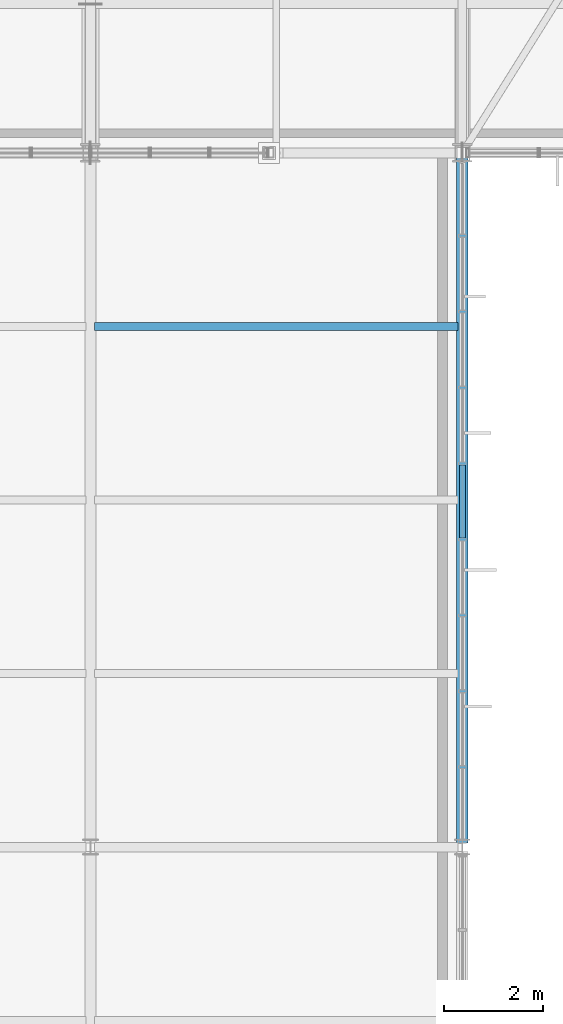
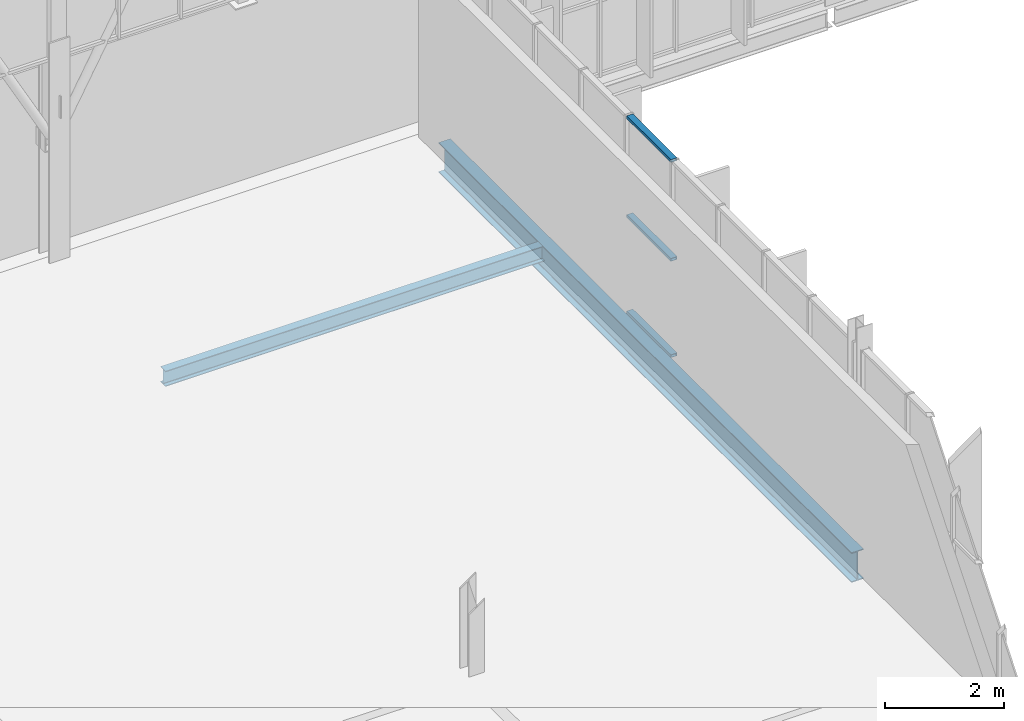
# One storey, part 55 of 324: 3 members, 2 beams, 1 element without a shape of its own.
"""IFC4 building model written with IfcOpenShell, lengths in metres."""

from ifc_helpers import new_model, si_unit, direction, frame, origin, origin_2d, place, context, subcontext, project, spatial, hollow_rectangle, i_section, extrude, material, layer, layer_set, material_profile, profile_set, type_object, element, aggregate, save


model = new_model("IFC4")

# Units and contexts
model_context = context("Model", 3, precision=1e-05, world=origin(), true_north=direction((0.0, 1.0)))
body_context = subcontext(model_context, "Body", "Model", "MODEL_VIEW")
ifc_project = project(units=[si_unit("LENGTHUNIT", "METRE"), si_unit("AREAUNIT", "SQUARE_METRE"), si_unit("VOLUMEUNIT", "CUBIC_METRE"), si_unit("PLANEANGLEUNIT", "RADIAN"), si_unit("MASSUNIT", "GRAM", prefix="KILO")], contexts=[model_context])

# Site, building, storey
site_placement = place(None, origin())
site = spatial("IfcSite", under=ifc_project, at=site_placement, CompositionType="ELEMENT")
building_placement = place(site_placement, origin())
building = spatial("IfcBuilding", under=site, at=building_placement, Name="Solvenia Promenade Tram Depot", CompositionType="ELEMENT")
storey_placement = place(building_placement, frame((0.0, 0.0, 4.5)))
storey = spatial("IfcBuildingStorey", under=building, at=storey_placement, Name="L01", CompositionType="ELEMENT", Elevation=4.5)

# Curtain wall, members
ifc_material_1 = material(Name="Anodized aluminium AW-6063 T6", Category="aluminium")
ifc_layer = layer(ifc_material_1, 0.1201171875, Name="Anodized aluminium AW-6063 T6", Category="aluminium")
ifc_layer_set = layer_set([ifc_layer], Name="Anodized aluminium AW-6063 T6")
curtain_wall_type = type_object("IfcCurtainWallType", Name="CW-Wash-1500", PredefinedType="NOTDEFINED", material=ifc_layer_set)
curtain_wall_placement = place(storey_placement, origin())
curtain_wall = element("IfcCurtainWall", 1, at=curtain_wall_placement, inside=storey, type_object=curtain_wall_type, Name="Curtain Wall CW-V3-E-L1-3", PredefinedType="NOTDEFINED")
ifc_material_profile_1 = material_profile(ifc_material_1, hollow_rectangle(XDim=0.1201171875, YDim=0.06005859375, WallThickness=0.00390625, at=origin_2d()), Name="ALU-T1", Category="aluminium")
ifc_profile_set_1 = profile_set([ifc_material_profile_1], Name="Anodized aluminium AW-6063 T6")
member_type = type_object("IfcMemberType", Name="CWT-Transom-1", PredefinedType="USERDEFINED", material=ifc_profile_set_1)
member_1_placement = place(storey_placement, frame((45.0, 58.23046875, 0.030029296875), z_axis=(0.0, 1.0, 0.0), x_axis=(-1.0, 0.0, 0.0)))
member_1 = element("IfcMember", 2, at=member_1_placement, type_object=member_type, Name="CW-10 transom 5.1", ObjectType="TRANSOM", PredefinedType="USERDEFINED", context=body_context, shape_type="SweptSolid", body=[
    extrude(hollow_rectangle(XDim=0.1201171875, YDim=0.06005859375, WallThickness=0.00390625, at=origin_2d()), origin(), (0.0, 0.0, 1.0), 1.47900390625),
])
member_2_placement = place(storey_placement, frame((45.0, 58.23046875, 2.0), z_axis=(0.0, 1.0, 0.0), x_axis=(-1.0, 0.0, 0.0)))
member_2 = element("IfcMember", 3, at=member_2_placement, type_object=member_type, Name="CW-10 transom 5.2", ObjectType="TRANSOM", PredefinedType="USERDEFINED", context=body_context, shape_type="SweptSolid", body=[
    extrude(hollow_rectangle(XDim=0.1201171875, YDim=0.06005859375, WallThickness=0.00390625, at=origin_2d()), origin(), (0.0, 0.0, 1.0), 1.47900390625),
])
member_3_placement = place(storey_placement, frame((45.0, 58.23046875, 4.02001953125), z_axis=(0.0, 1.0, 0.0), x_axis=(-1.0, 0.0, 0.0)))
member_3 = element("IfcMember", 4, at=member_3_placement, type_object=member_type, Name="CW-10 transom 5.3", ObjectType="TRANSOM", PredefinedType="USERDEFINED", context=body_context, shape_type="SweptSolid", body=[
    extrude(hollow_rectangle(XDim=0.1201171875, YDim=0.06005859375, WallThickness=0.00390625, at=origin_2d()), origin(), (0.0, 0.0, 1.0), 1.47900390625),
])
aggregate(curtain_wall, [member_1, member_2, member_3])

# Beams
ifc_material_2 = material(Name="Structural steel ASTM A992 Gr. 50", Category="steel")
ifc_material_profile_2 = material_profile(ifc_material_2, i_section(OverallWidth=0.22900390625, OverallDepth=0.612060546875, WebThickness=0.011962890625, FlangeThickness=0.01953125, FilletRadius=0.014892578125, at=origin_2d()), Name="W610x125", Category="steel")
ifc_profile_set_2 = profile_set([ifc_material_profile_2], Name="Structural steel ASTM A992 Gr. 50")
beam_type_1 = type_object("IfcBeamType", Name="Gird-W610x125", PredefinedType="BEAM", material=ifc_profile_set_2)
beam_1_placement = place(storey_placement, frame((45.0, 52.0849609375, -0.5458984375), z_axis=(0.0, 1.0, 0.0), x_axis=(-1.0, 0.0, 0.0)))
element("IfcBeam", 5, at=beam_1_placement, inside=storey, type_object=beam_type_1, Name="Transverse Girder BM-L01-0249", PredefinedType="BEAM", context=body_context, shape_type="SweptSolid", body=[
    extrude(i_section(OverallWidth=0.22900390625, OverallDepth=0.612060546875, WebThickness=0.011962890625, FlangeThickness=0.01953125, FilletRadius=0.014892578125, at=origin_2d()), origin(), (0.0, 0.0, 1.0), 13.830078125),
])
ifc_material_profile_3 = material_profile(ifc_material_2, i_section(OverallWidth=0.166015625, OverallDepth=0.31298828125, WebThickness=0.006591796875, FlangeThickness=0.01123046875, FilletRadius=0.010009765625, at=origin_2d()), Name="W310x45", Category="steel")
ifc_profile_set_3 = profile_set([ifc_material_profile_3], Name="Structural steel ASTM A992 Gr. 50")
beam_type_2 = type_object("IfcBeamType", Name="Joist-W310x45", PredefinedType="JOIST", material=ifc_profile_set_3)
beam_2_placement = place(storey_placement, frame((37.5849609375, 62.5, -0.396484375), z_axis=(1.0, 0.0, 0.0), x_axis=(0.0, 1.0, 0.0)))
element("IfcBeam", 6, at=beam_2_placement, inside=storey, type_object=beam_type_2, Name="Secondary Floor Joist BM-L01-0301", PredefinedType="JOIST", context=body_context, shape_type="SweptSolid", body=[
    extrude(i_section(OverallWidth=0.166015625, OverallDepth=0.31298828125, WebThickness=0.006591796875, FlangeThickness=0.01123046875, FilletRadius=0.010009765625, at=origin_2d()), origin(), (0.0, 0.0, 1.0), 7.330078125),
])

save(model, "model.ifc")
